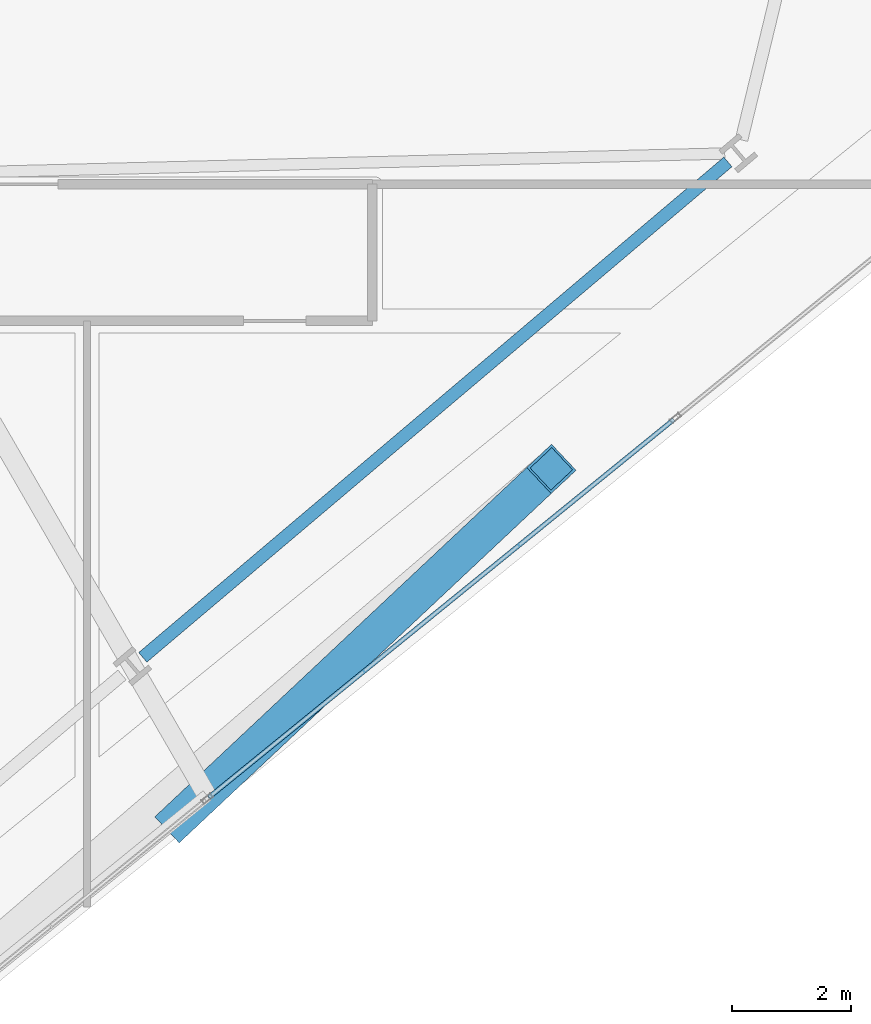
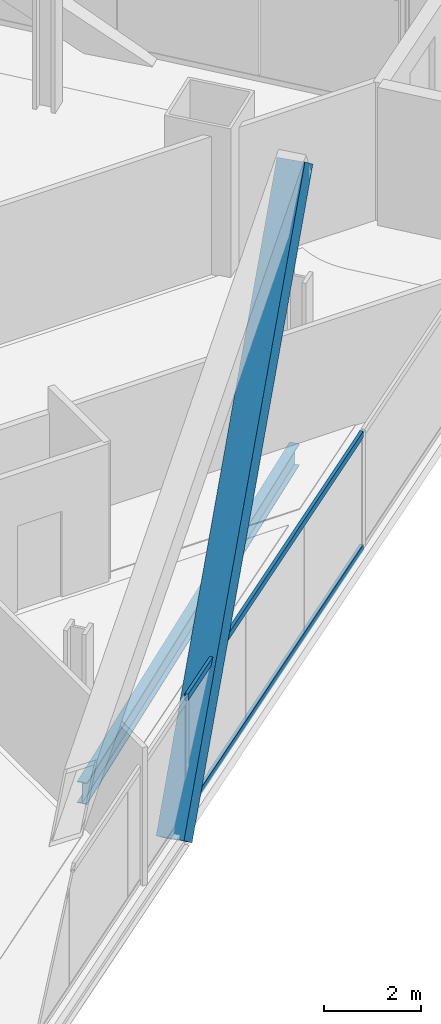
# One storey, part 9 of 36: 3 members, 1 beam, 1 element without a shape of its own.
"""IFC4 building model written with IfcOpenShell, lengths in metres."""

import ifcopenshell
import ifcopenshell.guid

model = None  # the IFC model being written
_history = None  # IfcOwnerHistory: only IFC2X3 demands one
_inside = {}  # id of a spatial element -> (the spatial element, [elements in it])
_under = {}  # id of a project, library or spatial element -> (it, [spatial elements below it])
_declared = {}  # id of a project -> (the project, [libraries it declares])
_typed = {}  # id of a type object -> (the type object, [elements of that type])
_made_of = {}  # id of a material, layer set ... -> (it, [elements and type objects made of it])


def new_model(schema):
    """Start an empty IFC model of exactly this schema.

    Asked for "IFC4X3", IfcOpenShell would pick the latest addendum, in which some entities
    have other attributes; the version numbers below select the first issue.
    IFC2X3 requires an IfcOwnerHistory on every rooted entity: one is made here for all.
    """
    global model, _history
    if schema == "IFC4X3":
        model = ifcopenshell.file(schema_version=(4, 3, 0, 0))
    else:
        model = ifcopenshell.file(schema=schema)
    _inside.clear()
    _under.clear()
    _declared.clear()
    _typed.clear()
    _made_of.clear()
    _history = None
    if model.schema == "IFC2X3":
        org = make("IfcOrganization", Name="unknown")
        user = make(
            "IfcPersonAndOrganization",
            ThePerson=make("IfcPerson", FamilyName="unknown"),
            TheOrganization=org,
        )
        app = make(
            "IfcApplication",
            ApplicationDeveloper=org,
            Version="unknown",
            ApplicationFullName="unknown",
            ApplicationIdentifier="unknown",
        )
        _history = make(
            "IfcOwnerHistory",
            OwningUser=user,
            OwningApplication=app,
            ChangeAction="ADDED",
            CreationDate=0,
        )
    return model


def make(cls, **values):
    """One entity of the class cls with the attributes given. An attribute that is None is left unset."""
    return model.create_entity(
        cls, **{name: value for name, value in values.items() if value is not None}
    )


def rooted(cls, **values):
    """An entity with a GlobalId (a new one), such as an element, a storey or a relation."""
    return make(cls, GlobalId=ifcopenshell.guid.new(), OwnerHistory=_history, **values)


def si_unit(unit_type, name, prefix=None):
    """IfcSIUnit, for example si_unit("LENGTHUNIT", "METRE", prefix="MILLI")."""
    return make("IfcSIUnit", UnitType=unit_type, Prefix=prefix, Name=name)


def assignment(units):
    """IfcUnitAssignment: the units of a project."""
    return None if units is None else make("IfcUnitAssignment", Units=units)


def point(xyz):
    """IfcCartesianPoint."""
    return None if xyz is None else make("IfcCartesianPoint", Coordinates=xyz)


def direction(xyz):
    """IfcDirection."""
    return None if xyz is None else make("IfcDirection", DirectionRatios=xyz)


def frame(location, z_axis=None, x_axis=None):
    """IfcAxis2Placement3D, a coordinate frame: its origin and axes. An axis left out is left unset."""
    return make(
        "IfcAxis2Placement3D",
        Location=point(location),
        Axis=direction(z_axis),
        RefDirection=direction(x_axis),
    )


def frame_2d(location, x_axis=None):
    """IfcAxis2Placement2D, a coordinate frame in the plane: its origin and x axis."""
    return make(
        "IfcAxis2Placement2D", Location=point(location), RefDirection=direction(x_axis)
    )


def origin():
    """The frame at (0, 0, 0) with its axes left unset."""
    return frame((0.0, 0.0, 0.0))


def origin_2d():
    """The frame at (0, 0) in the plane with its x axis left unset."""
    return frame_2d((0.0, 0.0))


def place(relative_to, where):
    """IfcLocalPlacement: puts the frame where relative to a parent placement (None: the world)."""
    return make(
        "IfcLocalPlacement", PlacementRelTo=relative_to, RelativePlacement=where
    )


def context(
    kind, dimensions, precision=None, world=None, true_north=None, identifier=None
):
    """IfcGeometricRepresentationContext, for example the 3D "Model" context."""
    return make(
        "IfcGeometricRepresentationContext",
        ContextIdentifier=identifier,
        ContextType=kind,
        CoordinateSpaceDimension=dimensions,
        Precision=precision,
        WorldCoordinateSystem=world,
        TrueNorth=true_north,
    )


def subcontext(parent, identifier, kind, view, scale=None):
    """IfcGeometricRepresentationSubContext, for example "Body" below "Model"."""
    return make(
        "IfcGeometricRepresentationSubContext",
        ContextIdentifier=identifier,
        ContextType=kind,
        ParentContext=parent,
        TargetScale=scale,
        TargetView=view,
    )


def project(units=None, contexts=None):
    """IfcProject with its units and contexts."""
    return rooted(
        "IfcProject",
        Name="project",
        RepresentationContexts=contexts,
        UnitsInContext=assignment(units),
    )


def spatial(cls, under=None, at=None, **own):
    """A site, building, storey or space (cls), placed at a placement, below another one or the project."""
    s = rooted(cls, ObjectPlacement=at, **own)
    if under is not None:
        _under.setdefault(under.id(), (under, []))[1].append(s)
    return s


def profile(cls, at=None, kind="AREA", **sizes):
    """A parametric profile (cls). Its sizes go by their IFC names, for example OverallWidth=200.0."""
    return make(cls, ProfileType=kind, Position=at, **sizes)


def hollow_rectangle(**sizes):
    """IfcRectangleHollowProfileDef."""
    return profile("IfcRectangleHollowProfileDef", **sizes)


def i_section(**sizes):
    """IfcIShapeProfileDef."""
    return profile("IfcIShapeProfileDef", **sizes)


def extrude(swept, where, along, depth):
    """IfcExtrudedAreaSolid: the profile swept, set in the frame where, extruded along a direction by depth."""
    return make(
        "IfcExtrudedAreaSolid",
        SweptArea=swept,
        Position=where,
        ExtrudedDirection=direction(along),
        Depth=depth,
    )


def shape(context_of_items, identifier, shape_type, items):
    """IfcShapeRepresentation: the items that make up one representation, for example the "Body"."""
    return make(
        "IfcShapeRepresentation",
        ContextOfItems=context_of_items,
        RepresentationIdentifier=identifier,
        RepresentationType=shape_type,
        Items=items,
    )


def material(Name=None, Category=None):
    """IfcMaterial."""
    return make("IfcMaterial", Name=Name, Category=Category)


def material_profile(
    of_material, cross_section, Name=None, Category=None, Priority=None
):
    """IfcMaterialProfile: a cross section and its material."""
    return make(
        "IfcMaterialProfile",
        Name=Name,
        Material=of_material,
        Profile=cross_section,
        Priority=Priority,
        Category=Category,
    )


def profile_set(profiles, Name=None, composite=None):
    """IfcMaterialProfileSet."""
    return make(
        "IfcMaterialProfileSet",
        Name=Name,
        MaterialProfiles=profiles,
        CompositeProfile=composite,
    )


def made_of(thing, what):
    """Note that an element or type object is made of a material, layer set ...; save() writes the relation."""
    if what is not None:
        _made_of.setdefault(what.id(), (what, []))[1].append(thing)
    return thing


def type_object(cls, material=None, **own):
    """A type object (cls), such as IfcWallType, which elements share."""
    return made_of(rooted(cls, **own), material)


def element(
    cls,
    number,
    at=None,
    inside=None,
    cuts=None,
    type_object=None,
    material=None,
    context=None,
    identifier="Body",
    shape_type=None,
    held_by="IfcProductDefinitionShape",
    body=None,
    shapes=None,
    **own,
):
    """One element of the class cls, such as IfcWall. Its Tag is "e" and its number.

    at: its placement. inside: the storey or other place that contains it. cuts: it is an
    opening in that element (IfcRelVoidsElement). A single representation is given by context,
    identifier, shape_type and body (its items); several are given by shapes. held_by: the class
    of the entity that holds the representations. save() writes the other relations.
    """
    e = rooted(cls, Tag="e%d" % number, ObjectPlacement=at, **own)
    if body is not None:
        shapes = [shape(context, identifier, shape_type, body)]
    if shapes is not None:
        e.Representation = make(held_by, Representations=shapes)
    if inside is not None:
        _inside.setdefault(inside.id(), (inside, []))[1].append(e)
    if cuts is not None:
        rooted(
            "IfcRelVoidsElement", RelatingBuildingElement=cuts, RelatedOpeningElement=e
        )
    if type_object is not None:
        _typed.setdefault(type_object.id(), (type_object, []))[1].append(e)
    return made_of(e, material)


def aggregate(whole, parts):
    """IfcRelAggregates: a whole, such as a stair, and the parts it consists of."""
    return rooted("IfcRelAggregates", RelatingObject=whole, RelatedObjects=parts)


def save(model, path):
    """Write the relations noted so far, then the file.

    IfcRelAggregates (storeys below a building ...), IfcRelContainedInSpatialStructure (elements
    in a storey), IfcRelDefinesByType, IfcRelAssociatesMaterial and IfcRelDeclares: one each for
    every whole, place, type object, material and project.
    """
    for whole, parts in _under.values():
        aggregate(whole, parts)
    for where, things in _inside.values():
        rooted(
            "IfcRelContainedInSpatialStructure",
            RelatedElements=things,
            RelatingStructure=where,
        )
    for kind, things in _typed.values():
        rooted("IfcRelDefinesByType", RelatedObjects=things, RelatingType=kind)
    for what, things in _made_of.values():
        rooted("IfcRelAssociatesMaterial", RelatedObjects=things, RelatingMaterial=what)
    for by, libraries in _declared.values():
        rooted("IfcRelDeclares", RelatingContext=by, RelatedDefinitions=libraries)
    model.write(path)


model = new_model("IFC4")

# Units and contexts
model_context = context("Model", 3, precision=1e-05, world=origin(), true_north=direction((0.0, 1.0)))
body_context = subcontext(model_context, "Body", "Model", "MODEL_VIEW")
ifc_project = project(units=[si_unit("LENGTHUNIT", "METRE"), si_unit("AREAUNIT", "SQUARE_METRE"), si_unit("VOLUMEUNIT", "CUBIC_METRE"), si_unit("PLANEANGLEUNIT", "RADIAN"), si_unit("MASSUNIT", "GRAM", prefix="KILO")], contexts=[model_context])

# Site, building, storey
site_placement = place(None, origin())
site = spatial("IfcSite", under=ifc_project, at=site_placement, CompositionType="ELEMENT")
building_placement = place(site_placement, origin())
building = spatial("IfcBuilding", under=site, at=building_placement, Name="Haldenkirk Collegiate Tower", CompositionType="ELEMENT")
storey_placement = place(building_placement, frame((0.0, 0.0, 159.449951171875)))
storey = spatial("IfcBuildingStorey", under=building, at=storey_placement, Name="L39", CompositionType="ELEMENT", Elevation=159.449951171875)

# Beam
ifc_material_1 = material(Name="Steel ASTM A992 Grade 50", Category="steel")
ifc_material_profile_1 = material_profile(ifc_material_1, i_section(OverallWidth=0.2119140625, OverallDepth=0.5439453125, WebThickness=0.01318359375, FlangeThickness=0.021240234375, at=origin_2d()), Name="W21X83")
ifc_profile_set_1 = profile_set([ifc_material_profile_1], Name="Steel ASTM A992 Grade 50")
beam_type = type_object("IfcBeamType", Name="BM-SPANDREL-W21X83", PredefinedType="SPANDREL", material=ifc_profile_set_1)
beam_placement = place(storey_placement, frame((49.937255859375, 9.89111328125, -0.56201171875), z_axis=(0.763233335078, 0.646122957514, 0.0), x_axis=(-0.646122957514, 0.763233335078, 0.0)))
element("IfcBeam", 1, at=beam_placement, inside=storey, type_object=beam_type, Name="L39 perimeter spandrel beam 03", PredefinedType="SPANDREL", context=body_context, shape_type="SweptSolid", body=[
    extrude(i_section(OverallWidth=0.2119140625, OverallDepth=0.5439453125, WebThickness=0.01318359375, FlangeThickness=0.021240234375, at=origin_2d()), origin(), (0.0, 0.0, 1.0), 12.898193359375),
])

# Curtain wall, members
ifc_material_2 = material(Name="Anodised architectural bronze aluminium", Category="aluminium")
curtain_wall_type = type_object("IfcCurtainWallType", Name="CW-SYS2-CONCAVE", PredefinedType="USERDEFINED", material=ifc_material_2)
curtain_wall_placement = place(storey_placement, origin())
curtain_wall = element("IfcCurtainWall", 2, at=curtain_wall_placement, inside=storey, type_object=curtain_wall_type, Name="L39 South concave recessed bronze-anodised curtain wall", ObjectType="UNITISED CURTAIN WALL", PredefinedType="USERDEFINED")
ifc_material_profile_2 = material_profile(ifc_material_2, hollow_rectangle(XDim=0.074951171875, YDim=0.159912109375, WallThickness=0.0048828125, at=origin_2d()), Name="CW-TRN-02")
ifc_profile_set_2 = profile_set([ifc_material_profile_2], Name="Anodised architectural bronze aluminium")
member_type_1 = type_object("IfcMemberType", Name="CW-TRN-02", PredefinedType="USERDEFINED", material=ifc_profile_set_2)
member_1_placement = place(storey_placement, frame((58.87060546875, 13.892333984375, 0.03759765625), z_axis=(-0.776056181993, -0.630663779197, 0.0), x_axis=(0.630663779197, -0.776056181993, 0.0)))
member_1 = element("IfcMember", 3, at=member_1_placement, type_object=member_type_1, Name="CW-02 transom 2.1", ObjectType="TRANSOM", PredefinedType="USERDEFINED", context=body_context, shape_type="SweptSolid", body=[
    extrude(hollow_rectangle(XDim=0.074951171875, YDim=0.159912109375, WallThickness=0.0048828125, at=origin_2d()), origin(), (0.0, 0.0, 1.0), 10.0751953125),
])
member_2_placement = place(storey_placement, frame((58.87060546875, 13.892333984375, 2.87353515625), z_axis=(-0.776056181993, -0.630663779197, 0.0), x_axis=(0.630663779197, -0.776056181993, 0.0)))
member_2 = element("IfcMember", 4, at=member_2_placement, type_object=member_type_1, Name="CW-02 transom 2.2", ObjectType="TRANSOM", PredefinedType="USERDEFINED", context=body_context, shape_type="SweptSolid", body=[
    extrude(hollow_rectangle(XDim=0.074951171875, YDim=0.159912109375, WallThickness=0.0048828125, at=origin_2d()), origin(), (0.0, 0.0, 1.0), 10.0751953125),
])
aggregate(curtain_wall, [member_1, member_2])

# Member
ifc_material_3 = material(Name="Steel ASTM A572 Grade 50", Category="steel")
ifc_material_profile_3 = material_profile(ifc_material_3, hollow_rectangle(XDim=0.60009765625, YDim=0.719970703125, WallThickness=0.044921875, at=origin_2d()), Name="BOX720X600X45")
ifc_profile_set_3 = profile_set([ifc_material_profile_3], Name="Steel ASTM A572 Grade 50")
member_type_2 = type_object("IfcMemberType", Name="MBR-MEGABRACE-BOX720X600X45", PredefinedType="BRACE", material=ifc_profile_set_3)
member_3_placement = place(storey_placement, frame((50.553955078125, 7.185302734375, -0.300048828125), z_axis=(0.442176429106, 0.415244539222, 0.795016967233), x_axis=(-0.684558699099, 0.728957740536, 0.0)))
element("IfcMember", 5, at=member_3_placement, inside=storey, type_object=member_type_2, Name="Perimeter Mega Brace Z3 L39-L41 SR", PredefinedType="BRACE", context=body_context, shape_type="SweptSolid", body=[
    extrude(hollow_rectangle(XDim=0.60009765625, YDim=0.719970703125, WallThickness=0.044921875, at=origin_2d()), origin(), (0.0, 0.0, 1.0), 14.150634765625),
])

save(model, "model.ifc")
